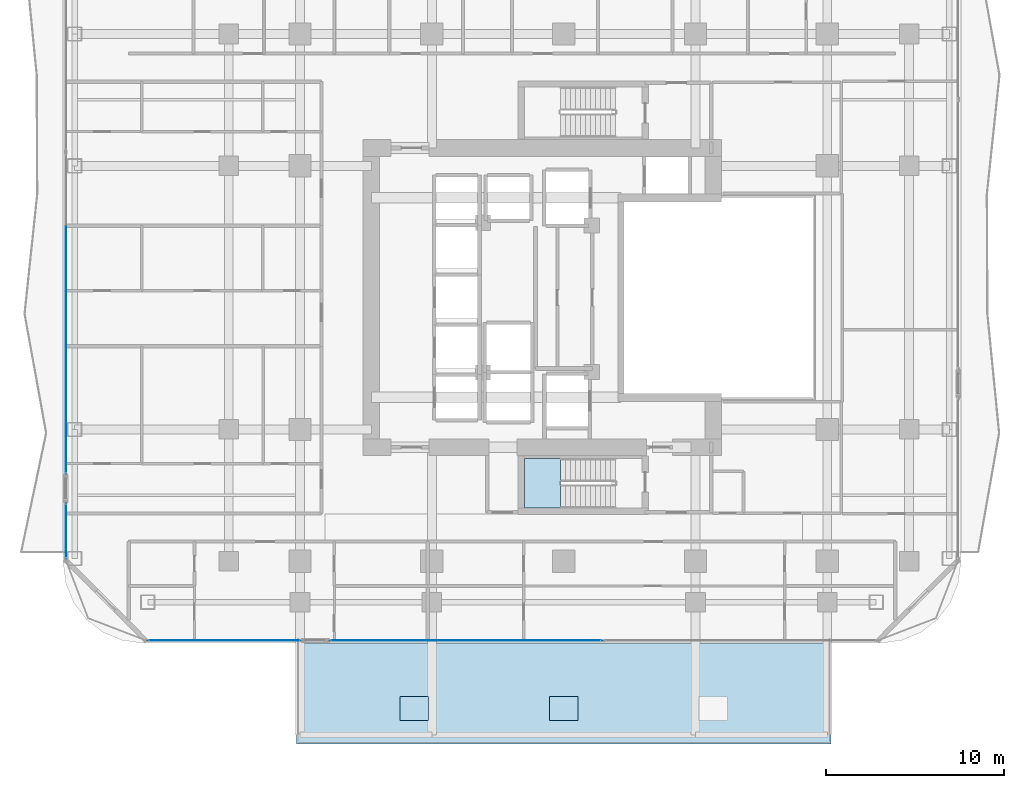
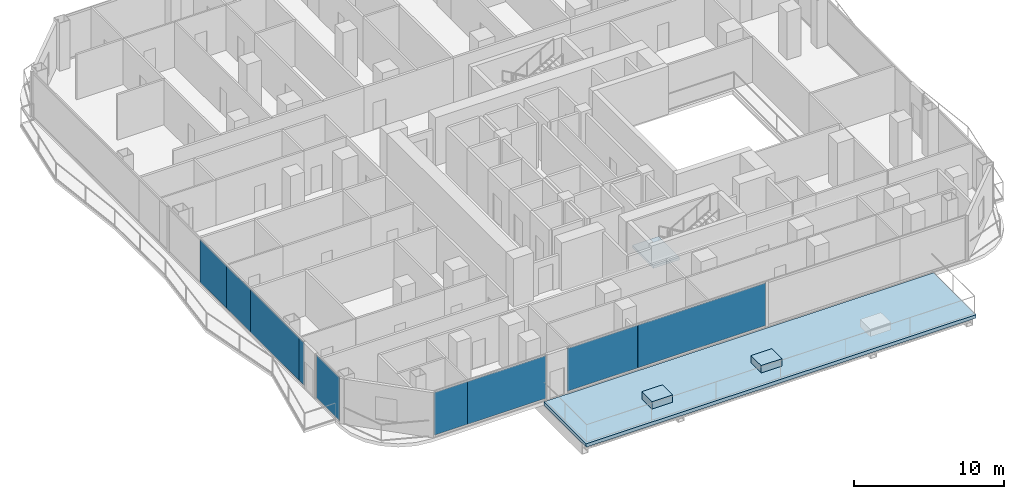
# One storey, part 17 of 29: 9 plates, 4 slabs, 5 elements without a shape of their own.
"""IFC4 building model written with IfcOpenShell, lengths in metres."""

from ifc_helpers import new_model, si_unit, direction, frame, origin, origin_2d, place, context, subcontext, project, spatial, polyline, rectangle, outline, extrude, material, layer, layer_set, type_object, element, aggregate, save


model = new_model("IFC4")

# Units and contexts
model_context = context("Model", 3, precision=1e-05, world=origin(), true_north=direction((0.0, 1.0)))
body_context = subcontext(model_context, "Body", "Model", "MODEL_VIEW")
ifc_project = project(units=[si_unit("LENGTHUNIT", "METRE"), si_unit("AREAUNIT", "SQUARE_METRE"), si_unit("VOLUMEUNIT", "CUBIC_METRE"), si_unit("PLANEANGLEUNIT", "RADIAN"), si_unit("MASSUNIT", "GRAM", prefix="KILO")], contexts=[model_context])

# Site, building, storey
site_placement = place(None, origin())
site = spatial("IfcSite", under=ifc_project, at=site_placement, CompositionType="ELEMENT")
building_placement = place(site_placement, origin())
building = spatial("IfcBuilding", under=site, at=building_placement, Name="Khorvyn Point Tower", CompositionType="ELEMENT")
storey_placement = place(building_placement, frame((0.0, 0.0, 85.199951171875)))
storey = spatial("IfcBuildingStorey", under=building, at=storey_placement, Name="L21", CompositionType="ELEMENT", Elevation=85.199951171875)

# Slabs
ifc_material_1 = material(Name="Concrete C35/45", Category="concrete")
ifc_layer_1 = layer(ifc_material_1, 0.239990234375)
ifc_layer_set_1 = layer_set([ifc_layer_1], Name="Concrete C35/45 Setback Terrace Roof Slab 240")
slab_type_1 = type_object("IfcSlabType", Name="Concrete C35/45 Setback Terrace Roof Slab 240", PredefinedType="ROOF", material=ifc_layer_set_1)
slab_1_placement = place(storey_placement, frame((0.0, 0.0, -0.280029296875)))
element("IfcSlab", 1, at=slab_1_placement, inside=storey, type_object=slab_type_1, Name="L21 South Jenga Setback Sky-Garden Terrace", PredefinedType="ROOF", context=body_context, shape_type="SweptSolid", body=[
    extrude(outline(polyline([(-15.0, -25.050048828125), (15.0, -25.050048828125), (15.0, -19.419921875), (-15.0, -19.419921875), (-15.0, -25.050048828125)])), origin(), (0.0, 0.0, 1.0), 0.280029296875),
])
ifc_layer_2 = layer(ifc_material_1, 0.60009765625)
ifc_layer_set_2 = layer_set([ifc_layer_2], Name="Concrete C35/45 Terrace Tree Planter 600")
slab_type_2 = type_object("IfcSlabType", Name="Concrete C35/45 Terrace Tree Planter 600", PredefinedType="USERDEFINED", material=ifc_layer_set_2)
slab_2_placement = place(storey_placement, origin())
element("IfcSlab", 2, at=slab_2_placement, inside=storey, type_object=slab_type_2, Name="L21 Sky-Terrace Structural Tree Planter 1", ObjectType="PLANTER", PredefinedType="USERDEFINED", context=body_context, shape_type="SweptSolid", body=[
    extrude(outline(polyline([(-9.199951171875, -23.75439453125), (-7.60009765625, -23.75439453125), (-7.60009765625, -22.404541015625), (-9.199951171875, -22.404541015625), (-9.199951171875, -23.75439453125)])), origin(), (0.0, 0.0, 1.0), 0.60009765625),
])
slab_3_placement = place(storey_placement, origin())
element("IfcSlab", 3, at=slab_3_placement, inside=storey, type_object=slab_type_2, Name="L21 Sky-Terrace Structural Tree Planter 2", ObjectType="PLANTER", PredefinedType="USERDEFINED", context=body_context, shape_type="SweptSolid", body=[
    extrude(outline(polyline([(-0.800048828125, -23.75439453125), (0.800048828125, -23.75439453125), (0.800048828125, -22.404541015625), (-0.800048828125, -22.404541015625), (-0.800048828125, -23.75439453125)])), origin(), (0.0, 0.0, 1.0), 0.60009765625),
])

# Stair, slab
ifc_material_2 = material(Name="Concrete C40/50", Category="concrete")
stair_type = type_object("IfcStairType", Name="Tower Concrete C40/50 Dogleg Exit Stair", PredefinedType="HALF_TURN_STAIR", material=ifc_material_2)
stair_placement = place(storey_placement, origin())
stair = element("IfcStair", 4, at=stair_placement, inside=storey, type_object=stair_type, Name="L21 Tower Smokeproof Exit Stair South", PredefinedType="HALF_TURN_STAIR")
ifc_layer_3 = layer(ifc_material_2, 0.199951171875)
ifc_layer_set_3 = layer_set([ifc_layer_3], Name="Concrete C40/50 Stair Landing Slab 200")
slab_type_3 = type_object("IfcSlabType", Name="Concrete C40/50 Stair Landing Slab 200", PredefinedType="LANDING", material=ifc_layer_set_3)
slab_4_placement = place(storey_placement, frame((0.0, 0.0, 1.75)))
slab_4 = element("IfcSlab", 5, at=slab_4_placement, type_object=slab_type_3, Name="ST-01 landing 1", PredefinedType="LANDING", context=body_context, shape_type="SweptSolid", body=[
    extrude(outline(polyline([(-0.179931640625, -9.02001953125), (-2.199951171875, -9.02001953125), (-2.199951171875, -11.820068359375), (-0.179931640625, -11.820068359375), (-0.179931640625, -9.02001953125)])), origin(), (0.0, 0.0, 1.0), 0.199951171875),
])
aggregate(stair, [slab_4])

# Curtain wall, plates
ifc_material_3 = material(Name="Anodised aluminium 6063-T6 and laminated Low-E glass", Category="aluminium")
ifc_layer_4 = layer(ifc_material_3, 0.18994140625)
ifc_layer_set_4 = layer_set([ifc_layer_4], Name="Stick-Built Finned Residential Curtain Wall CW-SYS-02")
curtain_wall_type = type_object("IfcCurtainWallType", Name="Stick-Built Finned Residential Curtain Wall CW-SYS-02", PredefinedType="NOTDEFINED", material=ifc_layer_set_4)
curtain_wall_1_placement = place(storey_placement, origin())
curtain_wall_1 = element("IfcCurtainWall", 6, at=curtain_wall_1_placement, inside=storey, type_object=curtain_wall_type, Name="Curtain Wall", PredefinedType="NOTDEFINED")
ifc_material_4 = material(Name="Laminated Low-E insulated glass", Category="glass")
ifc_layer_5 = layer(ifc_material_4, 0.028076171875)
ifc_layer_set_5 = layer_set([ifc_layer_5], Name="Tempered Low-E Vision Glazing Panel CW-GL28")
plate_type = type_object("IfcPlateType", Name="Tempered Low-E Vision Glazing Panel CW-GL28", PredefinedType="CURTAIN_PANEL", material=ifc_layer_set_5)
plate_1_placement = place(storey_placement, frame((-10.412109375, -19.25, 0.10009765625), z_axis=(0.0, 0.0, 1.0), x_axis=(-1.0, 0.0, 0.0)))
plate_1 = element("IfcPlate", 7, at=plate_1_placement, type_object=plate_type, Name="Panel", PredefinedType="CURTAIN_PANEL", context=body_context, shape_type="SweptSolid", body=[
    extrude(rectangle(XDim=5.427978515625, YDim=0.028076171875, at=origin_2d()), origin(), (0.0, 0.0, 1.0), 3.47998046875),
])
plate_2_placement = place(storey_placement, frame((-2.76708984375, -19.25, 0.10009765625), z_axis=(0.0, 0.0, 1.0), x_axis=(-1.0, 0.0, 0.0)))
plate_2 = element("IfcPlate", 8, at=plate_2_placement, type_object=plate_type, Name="Panel", PredefinedType="CURTAIN_PANEL", context=body_context, shape_type="SweptSolid", body=[
    extrude(rectangle(XDim=9.845947265625, YDim=0.028076171875, at=origin_2d()), origin(), (0.0, 0.0, 1.0), 3.47998046875),
])
aggregate(curtain_wall_1, [plate_1, plate_2])

curtain_wall_2_placement = place(storey_placement, origin())
curtain_wall_2 = element("IfcCurtainWall", 9, at=curtain_wall_2_placement, inside=storey, type_object=curtain_wall_type, Name="Curtain Wall", PredefinedType="NOTDEFINED")
plate_3_placement = place(storey_placement, frame((-22.068115234375, -19.25, 0.10009765625), z_axis=(0.0, 0.0, 1.0), x_axis=(-1.0, 0.0, 0.0)))
plate_3 = element("IfcPlate", 10, at=plate_3_placement, type_object=plate_type, Name="Panel", PredefinedType="CURTAIN_PANEL", context=body_context, shape_type="SweptSolid", body=[
    extrude(rectangle(XDim=2.555908203125, YDim=0.028076171875, at=origin_2d()), origin(), (0.0, 0.0, 1.0), 3.47998046875),
])
plate_4_placement = place(storey_placement, frame((-17.778076171875, -19.25, 0.10009765625), z_axis=(0.0, 0.0, 1.0), x_axis=(-1.0, 0.0, 0.0)))
plate_4 = element("IfcPlate", 11, at=plate_4_placement, type_object=plate_type, Name="Panel", PredefinedType="CURTAIN_PANEL", context=body_context, shape_type="SweptSolid", body=[
    extrude(rectangle(XDim=6.008056640625, YDim=0.028076171875, at=origin_2d()), origin(), (0.0, 0.0, 1.0), 3.47998046875),
])
aggregate(curtain_wall_2, [plate_3, plate_4])

# Curtain wall, plate
curtain_wall_3_placement = place(storey_placement, origin())
curtain_wall_3 = element("IfcCurtainWall", 12, at=curtain_wall_3_placement, inside=storey, type_object=curtain_wall_type, Name="Curtain Wall", PredefinedType="NOTDEFINED")
plate_5_placement = place(storey_placement, frame((-27.949951171875, -13.094970703125, 0.10009765625), z_axis=(0.0, 0.0, 1.0), x_axis=(0.0, 1.0, 0.0)))
plate_5 = element("IfcPlate", 13, at=plate_5_placement, type_object=plate_type, Name="Panel", PredefinedType="CURTAIN_PANEL", context=body_context, shape_type="SweptSolid", body=[
    extrude(rectangle(XDim=3.110107421875, YDim=0.028076171875, at=origin_2d()), origin(), (0.0, 0.0, 1.0), 3.47998046875),
])
aggregate(curtain_wall_3, [plate_5])

# Curtain wall, plates
curtain_wall_4_placement = place(storey_placement, origin())
curtain_wall_4 = element("IfcCurtainWall", 14, at=curtain_wall_4_placement, inside=storey, type_object=curtain_wall_type, Name="Curtain Wall", PredefinedType="NOTDEFINED")
plate_6_placement = place(storey_placement, frame((-27.949951171875, -9.580078125, 0.10009765625), z_axis=(0.0, 0.0, 1.0), x_axis=(0.0, 1.0, 0.0)))
plate_6 = element("IfcPlate", 15, at=plate_6_placement, type_object=plate_type, Name="Panel", PredefinedType="CURTAIN_PANEL", context=body_context, shape_type="SweptSolid", body=[
    extrude(rectangle(XDim=0.632080078125, YDim=0.028076171875, at=origin_2d()), origin(), (0.0, 0.0, 1.0), 3.47998046875),
])
plate_7_placement = place(storey_placement, frame((-27.949951171875, -6.025390625, 0.10009765625), z_axis=(0.0, 0.0, 1.0), x_axis=(0.0, 1.0, 0.0)))
plate_7 = element("IfcPlate", 16, at=plate_7_placement, type_object=plate_type, Name="Panel", PredefinedType="CURTAIN_PANEL", context=body_context, shape_type="SweptSolid", body=[
    extrude(rectangle(XDim=6.4609375, YDim=0.028076171875, at=origin_2d()), origin(), (0.0, 0.0, 1.0), 3.47998046875),
])
plate_8_placement = place(storey_placement, frame((-27.949951171875, -1.173583984375, 0.10009765625), z_axis=(0.0, 0.0, 1.0), x_axis=(0.0, 1.0, 0.0)))
plate_8 = element("IfcPlate", 17, at=plate_8_placement, type_object=plate_type, Name="Panel", PredefinedType="CURTAIN_PANEL", context=body_context, shape_type="SweptSolid", body=[
    extrude(rectangle(XDim=3.22705078125, YDim=0.028076171875, at=origin_2d()), origin(), (0.0, 0.0, 1.0), 3.47998046875),
])
plate_9_placement = place(storey_placement, frame((-27.949951171875, 2.2119140625, 0.10009765625), z_axis=(0.0, 0.0, 1.0), x_axis=(0.0, 1.0, 0.0)))
plate_9 = element("IfcPlate", 18, at=plate_9_placement, type_object=plate_type, Name="Panel", PredefinedType="CURTAIN_PANEL", context=body_context, shape_type="SweptSolid", body=[
    extrude(rectangle(XDim=3.528076171875, YDim=0.028076171875, at=origin_2d()), origin(), (0.0, 0.0, 1.0), 3.47998046875),
])
aggregate(curtain_wall_4, [plate_6, plate_7, plate_8, plate_9])

save(model, "model.ifc")
